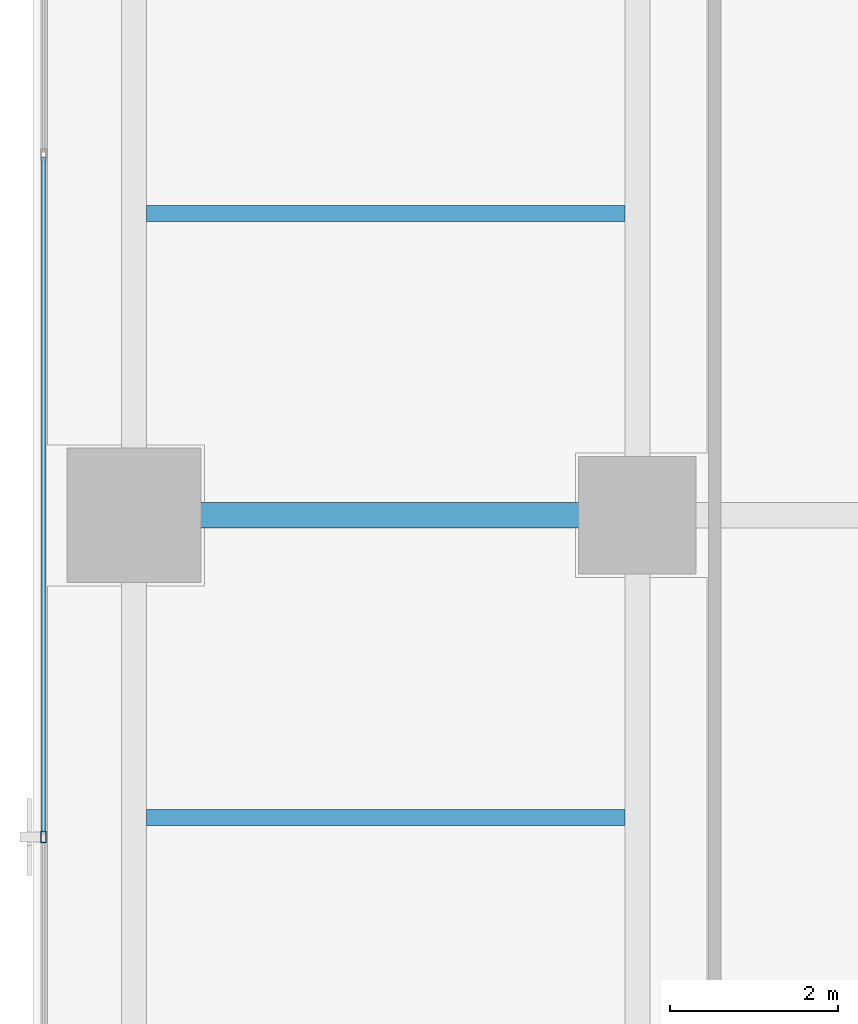
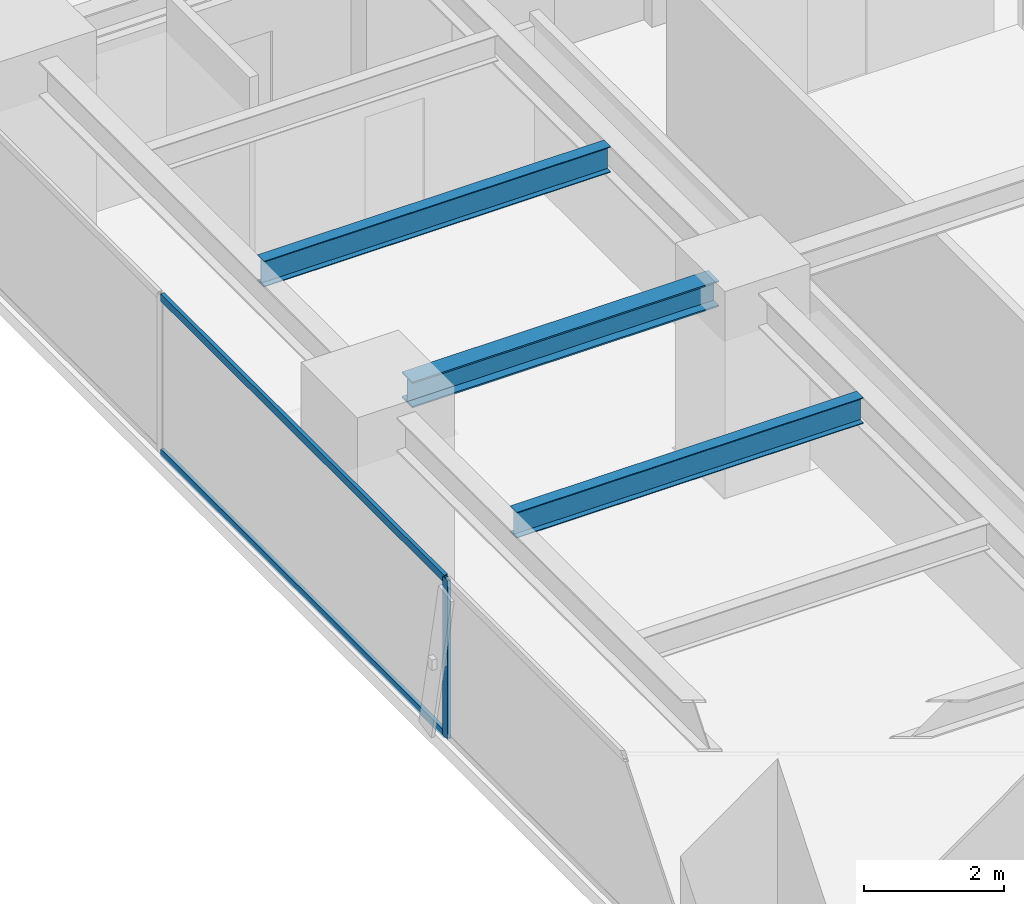
# One storey, part 4 of 29: 3 beams, 3 members, 1 element without a shape of its own.
"""IFC4 building model written with IfcOpenShell, lengths in metres."""

from ifc_helpers import new_model, si_unit, direction, frame, origin, origin_2d, place, context, subcontext, project, spatial, hollow_rectangle, i_section, extrude, source, transform, mapped, material, layer, layer_set, material_profile, profile_set, type_object, element, aggregate, save


model = new_model("IFC4")

# Units and contexts
model_context = context("Model", 3, precision=1e-05, world=origin(), true_north=direction((0.0, 1.0)))
body_context = subcontext(model_context, "Body", "Model", "MODEL_VIEW")
ifc_project = project(units=[si_unit("LENGTHUNIT", "METRE"), si_unit("AREAUNIT", "SQUARE_METRE"), si_unit("VOLUMEUNIT", "CUBIC_METRE"), si_unit("PLANEANGLEUNIT", "RADIAN"), si_unit("MASSUNIT", "GRAM", prefix="KILO")], contexts=[model_context])

# Site, building, storey
site_placement = place(None, origin())
site = spatial("IfcSite", under=ifc_project, at=site_placement, CompositionType="ELEMENT")
building_placement = place(site_placement, origin())
building = spatial("IfcBuilding", under=site, at=building_placement, Name="Sumidabori Civic Tower", CompositionType="ELEMENT")
storey_placement = place(building_placement, frame((0.0, 0.0, 207.199951171875)))
storey = spatial("IfcBuildingStorey", under=building, at=storey_placement, Name="L53", CompositionType="ELEMENT", Elevation=207.199951171875)

# Beams
ifc_material_1 = material(Name="Steel SN490", Category="steel")
ifc_material_profile_1 = material_profile(ifc_material_1, i_section(OverallWidth=0.18994140625, OverallDepth=0.449951171875, WebThickness=0.009521484375, FlangeThickness=0.0146484375, at=origin_2d()), Name="IPE 450")
ifc_profile_set_1 = profile_set([ifc_material_profile_1], Name="Steel SN490")
beam_type_1 = type_object("IfcBeamType", Name="BM-JST-450", PredefinedType="JOIST", material=ifc_profile_set_1)
shared_shape_1 = source(origin(), body_context, "Body", "SweptSolid", [
    extrude(i_section(OverallWidth=0.18994140625, OverallDepth=0.449951171875, WebThickness=0.009521484375, FlangeThickness=0.0146484375, at=origin_2d()), origin(), (0.0, 0.0, 1.0), 5.699951171875),
])
for number, where, z_axis, x_axis, name in (
    (1, (-22.64990234375, -3.60009765625, 3.155029296875), (1.0, 0.0, 0.0), (0.0, 1.0, 0.0), "Outer Bay Floor Joist L53 JSTO-27"),
    (2, (-22.64990234375, 3.60009765625, 3.155029296875), (1.0, 0.0, 0.0), (0.0, 1.0, 0.0), "Outer Bay Floor Joist L53 JSTO-29"),
):
    element("IfcBeam", number, at=place(storey_placement, frame(where, z_axis=z_axis, x_axis=x_axis)), inside=storey, type_object=beam_type_1, Name=name, PredefinedType="JOIST", context=body_context, shape_type="MappedRepresentation", body=[
        mapped(shared_shape_1, transform((0.0, 0.0, 0.0), x_axis=(1.0, 0.0, 0.0), y_axis=(0.0, 1.0, 0.0), z_axis=(0.0, 0.0, 1.0), scale=1.0)),
    ])
ifc_material_profile_2 = material_profile(ifc_material_1, i_section(OverallWidth=0.300048828125, OverallDepth=0.449951171875, WebThickness=0.013916015625, FlangeThickness=0.02587890625, at=origin_2d()), Name="HE 450 B")
ifc_profile_set_2 = profile_set([ifc_material_profile_2], Name="Steel SN490")
beam_type_2 = type_object("IfcBeamType", Name="BM-GIRD-450", PredefinedType="BEAM", material=ifc_profile_set_2)
shared_shape_2 = source(origin(), body_context, "Body", "SweptSolid", [
    extrude(i_section(OverallWidth=0.300048828125, OverallDepth=0.449951171875, WebThickness=0.013916015625, FlangeThickness=0.02587890625, at=origin_2d()), origin(), (0.0, 0.0, 1.0), 5.0400390625),
])
beam_placement = place(storey_placement, frame((-22.320068359375, 0.0, 3.155029296875), z_axis=(1.0, 0.0, 0.0), x_axis=(0.0, 1.0, 0.0)))
element("IfcBeam", 3, at=beam_placement, inside=storey, type_object=beam_type_2, Name="Primary Girder L53 GX-05", PredefinedType="BEAM", context=body_context, shape_type="MappedRepresentation", body=[
    mapped(shared_shape_2, transform((0.0, 0.0, 0.0), x_axis=(1.0, 0.0, 0.0), y_axis=(0.0, 1.0, 0.0), z_axis=(0.0, 0.0, 1.0), scale=1.0)),
])

# Curtain wall, members
ifc_material_2 = material(Name="Anodised Bronze Aluminium AW-6063-T6", Category="aluminium")
ifc_layer = layer(ifc_material_2, 0.179931640625, Name="Anodised Bronze Aluminium AW-6063-T6")
ifc_layer_set = layer_set([ifc_layer], Name="Anodised Bronze Aluminium AW-6063-T6")
curtain_wall_type = type_object("IfcCurtainWallType", Name="CW-SYS-5", PredefinedType="NOTDEFINED", material=ifc_layer_set)
curtain_wall_placement = place(storey_placement, origin())
curtain_wall = element("IfcCurtainWall", 4, at=curtain_wall_placement, inside=storey, type_object=curtain_wall_type, Name="Curtain Wall CW:L53:R16", PredefinedType="NOTDEFINED")
ifc_material_profile_3 = material_profile(ifc_material_2, hollow_rectangle(XDim=0.06005859375, YDim=0.139892578125, WallThickness=0.0048828125, at=origin_2d()), Name="ALU MULLION 140x60")
ifc_profile_set_3 = profile_set([ifc_material_profile_3], Name="Anodised Bronze Aluminium AW-6063-T6")
member_type_1 = type_object("IfcMemberType", Name="CW-MUL-140", PredefinedType="MULLION", material=ifc_profile_set_3)
shared_shape_3 = source(origin(), body_context, "Body", "SweptSolid", [
    extrude(hollow_rectangle(XDim=0.06005859375, YDim=0.139892578125, WallThickness=0.0048828125, at=origin_2d()), origin(), (0.0, 0.0, 1.0), 2.760009765625),
])
member_1_placement = place(storey_placement, frame((-23.8798828125, -3.8349609375, 0.0), z_axis=(0.0, 0.0, 1.0), x_axis=(1.0, 0.0, 0.0)))
member_1 = element("IfcMember", 5, at=member_1_placement, type_object=member_type_1, Name="CW-5 mullion 4", PredefinedType="MULLION", context=body_context, shape_type="MappedRepresentation", body=[
    mapped(shared_shape_3, transform((0.0, 0.0, 0.0), x_axis=(1.0, 0.0, 0.0), y_axis=(0.0, 1.0, 0.0), z_axis=(0.0, 0.0, 1.0), scale=1.0)),
])
ifc_material_profile_4 = material_profile(ifc_material_2, hollow_rectangle(XDim=0.06005859375, YDim=0.1298828125, WallThickness=0.0048828125, at=origin_2d()), Name="ALU TRANSOM 130x60")
ifc_profile_set_4 = profile_set([ifc_material_profile_4], Name="Anodised Bronze Aluminium AW-6063-T6")
member_type_2 = type_object("IfcMemberType", Name="CW-TRN-130", PredefinedType="USERDEFINED", material=ifc_profile_set_4)
shared_shape_4 = source(origin(), body_context, "Body", "SweptSolid", [
    extrude(hollow_rectangle(XDim=0.06005859375, YDim=0.1298828125, WallThickness=0.0048828125, at=origin_2d()), origin(), (0.0, 0.0, 1.0), 8.074951171875),
])
member_2_placement = place(storey_placement, frame((-23.8798828125, 4.27001953125, 0.030029296875), z_axis=(0.0, -1.0, 0.0), x_axis=(1.0, 0.0, 0.0)))
member_2 = element("IfcMember", 6, at=member_2_placement, type_object=member_type_2, Name="CW-5 transom 3.1", ObjectType="TRANSOM", PredefinedType="USERDEFINED", context=body_context, shape_type="MappedRepresentation", body=[
    mapped(shared_shape_4, transform((0.0, 0.0, 0.0), x_axis=(1.0, 0.0, 0.0), y_axis=(0.0, 1.0, 0.0), z_axis=(0.0, 0.0, 1.0), scale=1.0)),
])
member_3_placement = place(storey_placement, frame((-23.8798828125, 4.27001953125, 2.72998046875), z_axis=(0.0, -1.0, 0.0), x_axis=(1.0, 0.0, 0.0)))
member_3 = element("IfcMember", 7, at=member_3_placement, type_object=member_type_2, Name="CW-5 transom 3.2", ObjectType="TRANSOM", PredefinedType="USERDEFINED", context=body_context, shape_type="MappedRepresentation", body=[
    mapped(shared_shape_4, transform((0.0, 0.0, 0.0), x_axis=(1.0, 0.0, 0.0), y_axis=(0.0, 1.0, 0.0), z_axis=(0.0, 0.0, 1.0), scale=1.0)),
])
aggregate(curtain_wall, [member_1, member_2, member_3])

save(model, "model.ifc")
